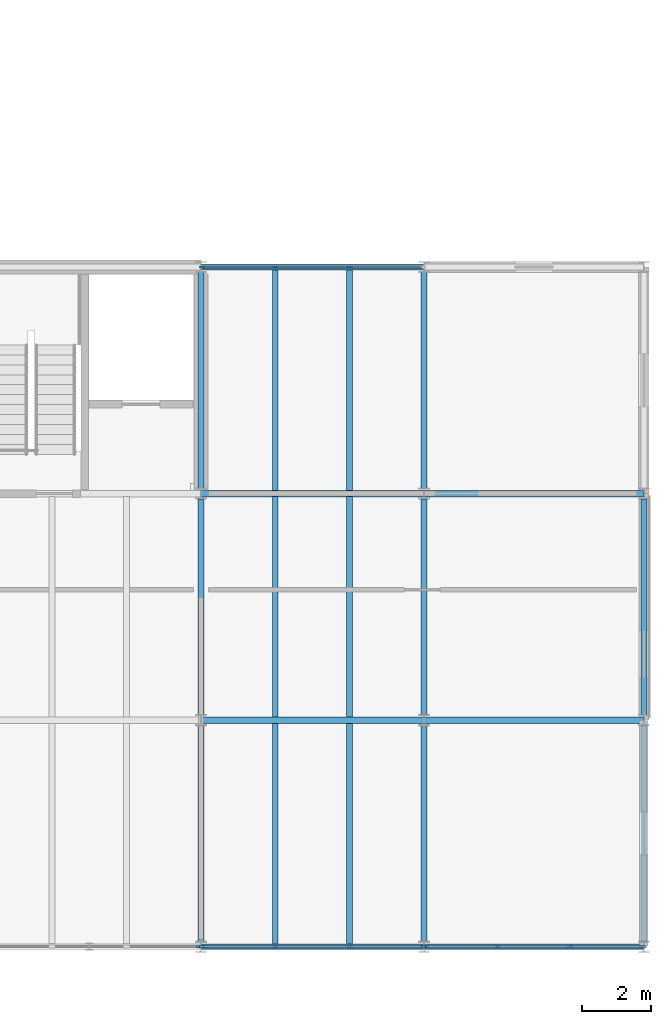
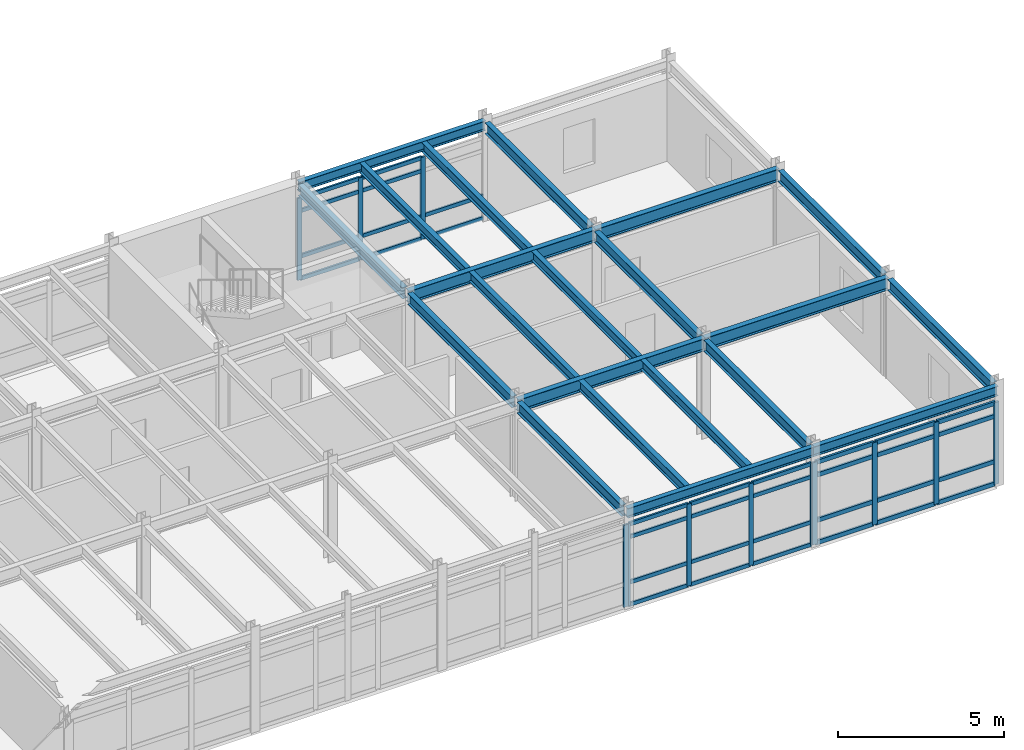
# One storey, part 29 of 57: 46 members, 21 beams, 4 elements without a shape of their own.
"""IFC4 building model written with IfcOpenShell, lengths in metres."""

from ifc_helpers import new_model, si_unit, direction, frame, origin, origin_2d, place, context, subcontext, project, spatial, rectangle, i_section, extrude, material, layer, layer_set, material_profile, profile_set, type_object, element, aggregate, save


model = new_model("IFC4")

# Units and contexts
model_context = context("Model", 3, precision=1e-05, world=origin(), true_north=direction((0.0, 1.0)))
body_context = subcontext(model_context, "Body", "Model", "MODEL_VIEW")
ifc_project = project(units=[si_unit("LENGTHUNIT", "METRE"), si_unit("AREAUNIT", "SQUARE_METRE"), si_unit("VOLUMEUNIT", "CUBIC_METRE"), si_unit("PLANEANGLEUNIT", "RADIAN"), si_unit("MASSUNIT", "GRAM", prefix="KILO")], contexts=[model_context])

# Site, building, storey
site_placement = place(None, origin())
site = spatial("IfcSite", under=ifc_project, at=site_placement, CompositionType="ELEMENT")
building_placement = place(site_placement, origin())
building = spatial("IfcBuilding", under=site, at=building_placement, Name="Trelmorton Wharf Fire Station", CompositionType="ELEMENT")
storey_placement = place(building_placement, frame((0.0, 0.0, 13.5)))
storey = spatial("IfcBuildingStorey", under=building, at=storey_placement, Name="L03", CompositionType="ELEMENT", Elevation=13.5)

# Beams
ifc_material_1 = material(Name="Steel Grade 350", Category="steel")
ifc_material_profile_1 = material_profile(ifc_material_1, i_section(OverallWidth=0.177978515625, OverallDepth=0.406005859375, WebThickness=0.0078125, FlangeThickness=0.0126953125, FilletRadius=0.011474609375, at=origin_2d()), Name="410UB59.7")
ifc_profile_set_1 = profile_set([ifc_material_profile_1], Name="Steel Grade 350")
beam_type_1 = type_object("IfcBeamType", Name="BM_410UB60", PredefinedType="BEAM", material=ifc_profile_set_1)
for number, where, z_axis, x_axis, name in (
    (1, (149.5, 7.95361328125, 3.427001953125), (0.0, 1.0, 0.0), (-1.0, 0.0, 0.0), "BM-L03-1019"),
    (2, (149.5, 14.553466796875, 3.427001953125), (0.0, 1.0, 0.0), (-1.0, 0.0, 0.0), "BM-L03-1020"),
    (3, (149.5, 21.153564453125, 3.427001953125), (0.0, 1.0, 0.0), (-1.0, 0.0, 0.0), "BM-L03-1021"),
    (4, (156.0, 7.95361328125, 3.427001953125), (0.0, 1.0, 0.0), (-1.0, 0.0, 0.0), "BM-L03-1025"),
    (5, (156.0, 14.553466796875, 3.427001953125), (0.0, 1.0, 0.0), (-1.0, 0.0, 0.0), "BM-L03-1026"),
    (6, (156.0, 21.153564453125, 3.427001953125), (0.0, 1.0, 0.0), (-1.0, 0.0, 0.0), "BM-L03-1027"),
    (7, (162.39990234375, 7.95361328125, 3.427001953125), (0.0, 1.0, 0.0), (-1.0, 0.0, 0.0), "BM-L03-1031"),
    (8, (162.39990234375, 14.553466796875, 3.427001953125), (0.0, 1.0, 0.0), (-1.0, 0.0, 0.0), "BM-L03-1032"),
):
    element("IfcBeam", number, at=place(storey_placement, frame(where, z_axis=z_axis, x_axis=x_axis)), inside=storey, type_object=beam_type_1, Name=name, PredefinedType="BEAM", context=body_context, shape_type="SweptSolid", body=[
        extrude(i_section(OverallWidth=0.177978515625, OverallDepth=0.406005859375, WebThickness=0.0078125, FlangeThickness=0.0126953125, FilletRadius=0.011474609375, at=origin_2d()), origin(), (0.0, 0.0, 1.0), 6.29296875),
    ])
ifc_material_profile_2 = material_profile(ifc_material_1, i_section(OverallWidth=0.18994140625, OverallDepth=0.45703125, WebThickness=0.009033203125, FlangeThickness=0.014404296875, FilletRadius=0.011474609375, at=origin_2d()), Name="460UB74.6")
ifc_profile_set_2 = profile_set([ifc_material_profile_2], Name="Steel Grade 350")
beam_type_2 = type_object("IfcBeamType", Name="BM_460UB75", PredefinedType="BEAM", material=ifc_profile_set_2)
beam_1_placement = place(storey_placement, frame((149.50390625, 14.39990234375, 3.401611328125), z_axis=(1.0, 0.0, 0.0), x_axis=(0.0, 1.0, 0.0)))
element("IfcBeam", 9, at=beam_1_placement, inside=storey, type_object=beam_type_2, Name="BM-L03-0891", PredefinedType="BEAM", context=body_context, shape_type="SweptSolid", body=[
    extrude(i_section(OverallWidth=0.18994140625, OverallDepth=0.45703125, WebThickness=0.009033203125, FlangeThickness=0.014404296875, FilletRadius=0.011474609375, at=origin_2d()), origin(), (0.0, 0.0, 1.0), 6.4921875),
])
beam_2_placement = place(storey_placement, frame((156.00390625, 14.39990234375, 3.401611328125), z_axis=(1.0, 0.0, 0.0), x_axis=(0.0, 1.0, 0.0)))
element("IfcBeam", 10, at=beam_2_placement, inside=storey, type_object=beam_type_2, Name="BM-L03-0892", PredefinedType="BEAM", context=body_context, shape_type="SweptSolid", body=[
    extrude(i_section(OverallWidth=0.18994140625, OverallDepth=0.45703125, WebThickness=0.009033203125, FlangeThickness=0.014404296875, FilletRadius=0.011474609375, at=origin_2d()), origin(), (0.0, 0.0, 1.0), 6.39208984375),
])
beam_3_placement = place(storey_placement, frame((149.50390625, 21.0, 3.401611328125), z_axis=(1.0, 0.0, 0.0), x_axis=(0.0, 1.0, 0.0)))
element("IfcBeam", 11, at=beam_3_placement, inside=storey, type_object=beam_type_2, Name="BM-L03-0903", PredefinedType="BEAM", context=body_context, shape_type="SweptSolid", body=[
    extrude(i_section(OverallWidth=0.18994140625, OverallDepth=0.45703125, WebThickness=0.009033203125, FlangeThickness=0.014404296875, FilletRadius=0.011474609375, at=origin_2d()), origin(), (0.0, 0.0, 1.0), 6.4921875),
])
beam_4_placement = place(storey_placement, frame((156.00390625, 21.0, 3.401611328125), z_axis=(1.0, 0.0, 0.0), x_axis=(0.0, 1.0, 0.0)))
element("IfcBeam", 12, at=beam_4_placement, inside=storey, type_object=beam_type_2, Name="BM-L03-0904", PredefinedType="BEAM", context=body_context, shape_type="SweptSolid", body=[
    extrude(i_section(OverallWidth=0.18994140625, OverallDepth=0.45703125, WebThickness=0.009033203125, FlangeThickness=0.014404296875, FilletRadius=0.011474609375, at=origin_2d()), origin(), (0.0, 0.0, 1.0), 6.39208984375),
])

# Curtain wall, members
ifc_material_2 = material(Name="Anodised aluminium AW-6063", Category="aluminium")
ifc_layer_1 = layer(ifc_material_2, 0.159912109375)
ifc_layer_set_1 = layer_set([ifc_layer_1], Name="Anodised aluminium AW-6063")
curtain_wall_type_1 = type_object("IfcCurtainWallType", Name="CW_CHIC_A", PredefinedType="USERDEFINED", material=ifc_layer_set_1)
curtain_wall_1_placement = place(storey_placement, origin())
curtain_wall_1 = element("IfcCurtainWall", 13, at=curtain_wall_1_placement, inside=storey, type_object=curtain_wall_type_1, Name="CW-V5-L03-067", ObjectType="CHICAGO BAY CURTAIN WALL", PredefinedType="USERDEFINED")
ifc_material_profile_3 = material_profile(ifc_material_2, rectangle(XDim=0.06494140625, YDim=0.159912109375, at=origin_2d()), Name="ALU-65x160")
ifc_profile_set_3 = profile_set([ifc_material_profile_3], Name="Anodised aluminium AW-6063")
member_type_1 = type_object("IfcMemberType", Name="CWM_65x160", PredefinedType="MULLION", material=ifc_profile_set_3)
member_1_placement = place(storey_placement, frame((155.965087890625, 7.800048828125, 0.0), z_axis=(0.0, 0.0, 1.0), x_axis=(0.0, -1.0, 0.0)))
member_1 = element("IfcMember", 14, at=member_1_placement, type_object=member_type_1, Name="CW1 mullion 1", PredefinedType="MULLION", context=body_context, shape_type="SweptSolid", body=[
    extrude(rectangle(XDim=0.06494140625, YDim=0.159912109375, at=origin_2d()), origin(), (0.0, 0.0, 1.0), 3.02001953125),
])
member_2_placement = place(storey_placement, frame((153.831787109375, 7.800048828125, 0.0), z_axis=(0.0, 0.0, 1.0), x_axis=(0.0, -1.0, 0.0)))
member_2 = element("IfcMember", 15, at=member_2_placement, type_object=member_type_1, Name="CW1 mullion 2", PredefinedType="MULLION", context=body_context, shape_type="SweptSolid", body=[
    extrude(rectangle(XDim=0.06494140625, YDim=0.159912109375, at=origin_2d()), origin(), (0.0, 0.0, 1.0), 3.02001953125),
])
member_3_placement = place(storey_placement, frame((151.668212890625, 7.800048828125, 0.0), z_axis=(0.0, 0.0, 1.0), x_axis=(0.0, -1.0, 0.0)))
member_3 = element("IfcMember", 16, at=member_3_placement, type_object=member_type_1, Name="CW1 mullion 3", PredefinedType="MULLION", context=body_context, shape_type="SweptSolid", body=[
    extrude(rectangle(XDim=0.06494140625, YDim=0.159912109375, at=origin_2d()), origin(), (0.0, 0.0, 1.0), 3.02001953125),
])
member_4_placement = place(storey_placement, frame((149.534912109375, 7.800048828125, 0.0), z_axis=(0.0, 0.0, 1.0), x_axis=(0.0, -1.0, 0.0)))
member_4 = element("IfcMember", 17, at=member_4_placement, type_object=member_type_1, Name="CW1 mullion 4", PredefinedType="MULLION", context=body_context, shape_type="SweptSolid", body=[
    extrude(rectangle(XDim=0.06494140625, YDim=0.159912109375, at=origin_2d()), origin(), (0.0, 0.0, 1.0), 3.02001953125),
])

ifc_layer_2 = layer(ifc_material_2, 0.14990234375)
ifc_layer_set_2 = layer_set([ifc_layer_2], Name="Anodised aluminium AW-6063")
curtain_wall_type_2 = type_object("IfcCurtainWallType", Name="CW_UNIT_A", PredefinedType="USERDEFINED", material=ifc_layer_set_2)
curtain_wall_2_placement = place(storey_placement, origin())
curtain_wall_2 = element("IfcCurtainWall", 18, at=curtain_wall_2_placement, inside=storey, type_object=curtain_wall_type_2, Name="CW-V5-L03-071", ObjectType="UNITISED CURTAIN WALL", PredefinedType="USERDEFINED")
member_5_placement = place(storey_placement, frame((149.534912109375, 27.60009765625, 0.0), z_axis=(0.0, 0.0, 1.0), x_axis=(0.0, 1.0, 0.0)))
member_5 = element("IfcMember", 19, at=member_5_placement, type_object=member_type_1, Name="CW3 mullion 1", PredefinedType="MULLION", context=body_context, shape_type="SweptSolid", body=[
    extrude(rectangle(XDim=0.06494140625, YDim=0.159912109375, at=origin_2d()), origin(), (0.0, 0.0, 1.0), 3.02001953125),
])
member_6_placement = place(storey_placement, frame((151.668212890625, 27.60009765625, 0.0), z_axis=(0.0, 0.0, 1.0), x_axis=(0.0, 1.0, 0.0)))
member_6 = element("IfcMember", 20, at=member_6_placement, type_object=member_type_1, Name="CW3 mullion 2", PredefinedType="MULLION", context=body_context, shape_type="SweptSolid", body=[
    extrude(rectangle(XDim=0.06494140625, YDim=0.159912109375, at=origin_2d()), origin(), (0.0, 0.0, 1.0), 3.02001953125),
])
member_7_placement = place(storey_placement, frame((153.831787109375, 27.60009765625, 0.0), z_axis=(0.0, 0.0, 1.0), x_axis=(0.0, 1.0, 0.0)))
member_7 = element("IfcMember", 21, at=member_7_placement, type_object=member_type_1, Name="CW3 mullion 3", PredefinedType="MULLION", context=body_context, shape_type="SweptSolid", body=[
    extrude(rectangle(XDim=0.06494140625, YDim=0.159912109375, at=origin_2d()), origin(), (0.0, 0.0, 1.0), 3.02001953125),
])

# Curtain wall, member
ifc_layer_3 = layer(ifc_material_2, 0.175048828125)
ifc_layer_set_3 = layer_set([ifc_layer_3], Name="Anodised aluminium AW-6063")
curtain_wall_type_3 = type_object("IfcCurtainWallType", Name="CW_CHIC_B", PredefinedType="USERDEFINED", material=ifc_layer_set_3)
curtain_wall_3_placement = place(storey_placement, origin())
curtain_wall_3 = element("IfcCurtainWall", 22, at=curtain_wall_3_placement, inside=storey, type_object=curtain_wall_type_3, Name="CW-V5-L03-066", ObjectType="CHICAGO BAY CURTAIN WALL", PredefinedType="USERDEFINED")
ifc_material_profile_4 = material_profile(ifc_material_2, rectangle(XDim=0.074951171875, YDim=0.175048828125, at=origin_2d()), Name="ALU-75x175")
ifc_profile_set_4 = profile_set([ifc_material_profile_4], Name="Anodised aluminium AW-6063")
member_type_2 = type_object("IfcMemberType", Name="CWM_75x175", PredefinedType="MULLION", material=ifc_profile_set_4)
member_8_placement = place(storey_placement, frame((149.465087890625, 7.800048828125, 0.0), z_axis=(0.0, 0.0, 1.0), x_axis=(0.0, -1.0, 0.0)))
member_8 = element("IfcMember", 23, at=member_8_placement, type_object=member_type_2, Name="CW2 mullion 1", PredefinedType="MULLION", context=body_context, shape_type="SweptSolid", body=[
    extrude(rectangle(XDim=0.074951171875, YDim=0.175048828125, at=origin_2d()), origin(), (0.0, 0.0, 1.0), 3.02001953125),
])
aggregate(curtain_wall_3, [member_8])

# Curtain wall, members
curtain_wall_4_placement = place(storey_placement, origin())
curtain_wall_4 = element("IfcCurtainWall", 24, at=curtain_wall_4_placement, inside=storey, type_object=curtain_wall_type_3, Name="CW-V5-L03-068", ObjectType="CHICAGO BAY CURTAIN WALL", PredefinedType="USERDEFINED")
member_9_placement = place(storey_placement, frame((162.364990234375, 7.800048828125, 0.0), z_axis=(0.0, 0.0, 1.0), x_axis=(0.0, -1.0, 0.0)))
member_9 = element("IfcMember", 25, at=member_9_placement, type_object=member_type_2, Name="CW2 mullion 1", PredefinedType="MULLION", context=body_context, shape_type="SweptSolid", body=[
    extrude(rectangle(XDim=0.074951171875, YDim=0.175048828125, at=origin_2d()), origin(), (0.0, 0.0, 1.0), 3.02001953125),
])
member_10_placement = place(storey_placement, frame((160.264892578125, 7.800048828125, 0.0), z_axis=(0.0, 0.0, 1.0), x_axis=(0.0, -1.0, 0.0)))
member_10 = element("IfcMember", 26, at=member_10_placement, type_object=member_type_2, Name="CW2 mullion 2", PredefinedType="MULLION", context=body_context, shape_type="SweptSolid", body=[
    extrude(rectangle(XDim=0.074951171875, YDim=0.175048828125, at=origin_2d()), origin(), (0.0, 0.0, 1.0), 3.02001953125),
])
member_11_placement = place(storey_placement, frame((158.135009765625, 7.800048828125, 0.0), z_axis=(0.0, 0.0, 1.0), x_axis=(0.0, -1.0, 0.0)))
member_11 = element("IfcMember", 27, at=member_11_placement, type_object=member_type_2, Name="CW2 mullion 3", PredefinedType="MULLION", context=body_context, shape_type="SweptSolid", body=[
    extrude(rectangle(XDim=0.074951171875, YDim=0.175048828125, at=origin_2d()), origin(), (0.0, 0.0, 1.0), 3.02001953125),
])
member_12_placement = place(storey_placement, frame((156.034912109375, 7.800048828125, 0.0), z_axis=(0.0, 0.0, 1.0), x_axis=(0.0, -1.0, 0.0)))
member_12 = element("IfcMember", 28, at=member_12_placement, type_object=member_type_2, Name="CW2 mullion 4", PredefinedType="MULLION", context=body_context, shape_type="SweptSolid", body=[
    extrude(rectangle(XDim=0.074951171875, YDim=0.175048828125, at=origin_2d()), origin(), (0.0, 0.0, 1.0), 3.02001953125),
])

# Member
ifc_material_profile_5 = material_profile(ifc_material_2, rectangle(XDim=0.06494140625, YDim=0.139892578125, at=origin_2d()), Name="ALU-65x140")
ifc_profile_set_5 = profile_set([ifc_material_profile_5], Name="Anodised aluminium AW-6063")
member_type_3 = type_object("IfcMemberType", Name="CWT_65x140", PredefinedType="USERDEFINED", material=ifc_profile_set_5)
member_13_placement = place(storey_placement, frame((155.93505859375, 7.800048828125, 0.030029296875), z_axis=(-1.0, 0.0, 0.0), x_axis=(0.0, -1.0, 0.0)))
member_13 = element("IfcMember", 29, at=member_13_placement, type_object=member_type_3, Name="CW1 transom 1.1", ObjectType="TRANSOM", PredefinedType="USERDEFINED", context=body_context, shape_type="SweptSolid", body=[
    extrude(rectangle(XDim=0.06494140625, YDim=0.139892578125, at=origin_2d()), origin(), (0.0, 0.0, 1.0), 2.073486328125),
])

member_14_placement = place(storey_placement, frame((155.93505859375, 7.800048828125, 0.85009765625), z_axis=(-1.0, 0.0, 0.0), x_axis=(0.0, -1.0, 0.0)))
member_14 = element("IfcMember", 30, at=member_14_placement, type_object=member_type_3, Name="CW1 transom 1.2", ObjectType="TRANSOM", PredefinedType="USERDEFINED", context=body_context, shape_type="SweptSolid", body=[
    extrude(rectangle(XDim=0.06494140625, YDim=0.139892578125, at=origin_2d()), origin(), (0.0, 0.0, 1.0), 2.073486328125),
])

member_15_placement = place(storey_placement, frame((155.93505859375, 7.800048828125, 2.52001953125), z_axis=(-1.0, 0.0, 0.0), x_axis=(0.0, -1.0, 0.0)))
member_15 = element("IfcMember", 31, at=member_15_placement, type_object=member_type_3, Name="CW1 transom 1.3", ObjectType="TRANSOM", PredefinedType="USERDEFINED", context=body_context, shape_type="SweptSolid", body=[
    extrude(rectangle(XDim=0.06494140625, YDim=0.139892578125, at=origin_2d()), origin(), (0.0, 0.0, 1.0), 2.073486328125),
])

member_16_placement = place(storey_placement, frame((155.93505859375, 7.800048828125, 2.989990234375), z_axis=(-1.0, 0.0, 0.0), x_axis=(0.0, -1.0, 0.0)))
member_16 = element("IfcMember", 32, at=member_16_placement, type_object=member_type_3, Name="CW1 transom 1.4", ObjectType="TRANSOM", PredefinedType="USERDEFINED", context=body_context, shape_type="SweptSolid", body=[
    extrude(rectangle(XDim=0.06494140625, YDim=0.139892578125, at=origin_2d()), origin(), (0.0, 0.0, 1.0), 2.073486328125),
])

member_17_placement = place(storey_placement, frame((153.8017578125, 7.800048828125, 0.030029296875), z_axis=(-1.0, 0.0, 0.0), x_axis=(0.0, -1.0, 0.0)))
member_17 = element("IfcMember", 33, at=member_17_placement, type_object=member_type_3, Name="CW1 transom 2.1", ObjectType="TRANSOM", PredefinedType="USERDEFINED", context=body_context, shape_type="SweptSolid", body=[
    extrude(rectangle(XDim=0.06494140625, YDim=0.139892578125, at=origin_2d()), origin(), (0.0, 0.0, 1.0), 2.103515625),
])

member_18_placement = place(storey_placement, frame((153.8017578125, 7.800048828125, 0.85009765625), z_axis=(-1.0, 0.0, 0.0), x_axis=(0.0, -1.0, 0.0)))
member_18 = element("IfcMember", 34, at=member_18_placement, type_object=member_type_3, Name="CW1 transom 2.2", ObjectType="TRANSOM", PredefinedType="USERDEFINED", context=body_context, shape_type="SweptSolid", body=[
    extrude(rectangle(XDim=0.06494140625, YDim=0.139892578125, at=origin_2d()), origin(), (0.0, 0.0, 1.0), 2.103515625),
])

member_19_placement = place(storey_placement, frame((153.8017578125, 7.800048828125, 2.52001953125), z_axis=(-1.0, 0.0, 0.0), x_axis=(0.0, -1.0, 0.0)))
member_19 = element("IfcMember", 35, at=member_19_placement, type_object=member_type_3, Name="CW1 transom 2.3", ObjectType="TRANSOM", PredefinedType="USERDEFINED", context=body_context, shape_type="SweptSolid", body=[
    extrude(rectangle(XDim=0.06494140625, YDim=0.139892578125, at=origin_2d()), origin(), (0.0, 0.0, 1.0), 2.103515625),
])

member_20_placement = place(storey_placement, frame((153.8017578125, 7.800048828125, 2.989990234375), z_axis=(-1.0, 0.0, 0.0), x_axis=(0.0, -1.0, 0.0)))
member_20 = element("IfcMember", 36, at=member_20_placement, type_object=member_type_3, Name="CW1 transom 2.4", ObjectType="TRANSOM", PredefinedType="USERDEFINED", context=body_context, shape_type="SweptSolid", body=[
    extrude(rectangle(XDim=0.06494140625, YDim=0.139892578125, at=origin_2d()), origin(), (0.0, 0.0, 1.0), 2.103515625),
])

member_21_placement = place(storey_placement, frame((151.638427734375, 7.800048828125, 0.030029296875), z_axis=(-1.0, 0.0, 0.0), x_axis=(0.0, -1.0, 0.0)))
member_21 = element("IfcMember", 37, at=member_21_placement, type_object=member_type_3, Name="CW1 transom 3.1", ObjectType="TRANSOM", PredefinedType="USERDEFINED", context=body_context, shape_type="SweptSolid", body=[
    extrude(rectangle(XDim=0.06494140625, YDim=0.139892578125, at=origin_2d()), origin(), (0.0, 0.0, 1.0), 2.073486328125),
])

member_22_placement = place(storey_placement, frame((151.638427734375, 7.800048828125, 0.85009765625), z_axis=(-1.0, 0.0, 0.0), x_axis=(0.0, -1.0, 0.0)))
member_22 = element("IfcMember", 38, at=member_22_placement, type_object=member_type_3, Name="CW1 transom 3.2", ObjectType="TRANSOM", PredefinedType="USERDEFINED", context=body_context, shape_type="SweptSolid", body=[
    extrude(rectangle(XDim=0.06494140625, YDim=0.139892578125, at=origin_2d()), origin(), (0.0, 0.0, 1.0), 2.073486328125),
])

member_23_placement = place(storey_placement, frame((151.638427734375, 7.800048828125, 2.52001953125), z_axis=(-1.0, 0.0, 0.0), x_axis=(0.0, -1.0, 0.0)))
member_23 = element("IfcMember", 39, at=member_23_placement, type_object=member_type_3, Name="CW1 transom 3.3", ObjectType="TRANSOM", PredefinedType="USERDEFINED", context=body_context, shape_type="SweptSolid", body=[
    extrude(rectangle(XDim=0.06494140625, YDim=0.139892578125, at=origin_2d()), origin(), (0.0, 0.0, 1.0), 2.073486328125),
])

member_24_placement = place(storey_placement, frame((151.638427734375, 7.800048828125, 2.989990234375), z_axis=(-1.0, 0.0, 0.0), x_axis=(0.0, -1.0, 0.0)))
member_24 = element("IfcMember", 40, at=member_24_placement, type_object=member_type_3, Name="CW1 transom 3.4", ObjectType="TRANSOM", PredefinedType="USERDEFINED", context=body_context, shape_type="SweptSolid", body=[
    extrude(rectangle(XDim=0.06494140625, YDim=0.139892578125, at=origin_2d()), origin(), (0.0, 0.0, 1.0), 2.073486328125),
])

aggregate(curtain_wall_1, [member_1, member_2, member_3, member_4, member_13, member_14, member_15, member_16, member_17, member_18, member_19, member_20, member_21, member_22, member_23, member_24])

member_25_placement = place(storey_placement, frame((149.56494140625, 27.60009765625, 0.030029296875), z_axis=(1.0, 0.0, 0.0), x_axis=(0.0, 1.0, 0.0)))
member_25 = element("IfcMember", 41, at=member_25_placement, type_object=member_type_3, Name="CW3 transom 1.1", ObjectType="TRANSOM", PredefinedType="USERDEFINED", context=body_context, shape_type="SweptSolid", body=[
    extrude(rectangle(XDim=0.06494140625, YDim=0.139892578125, at=origin_2d()), origin(), (0.0, 0.0, 1.0), 2.073486328125),
])

member_26_placement = place(storey_placement, frame((149.56494140625, 27.60009765625, 0.85009765625), z_axis=(1.0, 0.0, 0.0), x_axis=(0.0, 1.0, 0.0)))
member_26 = element("IfcMember", 42, at=member_26_placement, type_object=member_type_3, Name="CW3 transom 1.2", ObjectType="TRANSOM", PredefinedType="USERDEFINED", context=body_context, shape_type="SweptSolid", body=[
    extrude(rectangle(XDim=0.06494140625, YDim=0.139892578125, at=origin_2d()), origin(), (0.0, 0.0, 1.0), 2.073486328125),
])

member_27_placement = place(storey_placement, frame((149.56494140625, 27.60009765625, 2.52001953125), z_axis=(1.0, 0.0, 0.0), x_axis=(0.0, 1.0, 0.0)))
member_27 = element("IfcMember", 43, at=member_27_placement, type_object=member_type_3, Name="CW3 transom 1.3", ObjectType="TRANSOM", PredefinedType="USERDEFINED", context=body_context, shape_type="SweptSolid", body=[
    extrude(rectangle(XDim=0.06494140625, YDim=0.139892578125, at=origin_2d()), origin(), (0.0, 0.0, 1.0), 2.073486328125),
])

member_28_placement = place(storey_placement, frame((149.56494140625, 27.60009765625, 2.989990234375), z_axis=(1.0, 0.0, 0.0), x_axis=(0.0, 1.0, 0.0)))
member_28 = element("IfcMember", 44, at=member_28_placement, type_object=member_type_3, Name="CW3 transom 1.4", ObjectType="TRANSOM", PredefinedType="USERDEFINED", context=body_context, shape_type="SweptSolid", body=[
    extrude(rectangle(XDim=0.06494140625, YDim=0.139892578125, at=origin_2d()), origin(), (0.0, 0.0, 1.0), 2.073486328125),
])

member_29_placement = place(storey_placement, frame((151.6982421875, 27.60009765625, 0.030029296875), z_axis=(1.0, 0.0, 0.0), x_axis=(0.0, 1.0, 0.0)))
member_29 = element("IfcMember", 45, at=member_29_placement, type_object=member_type_3, Name="CW3 transom 2.1", ObjectType="TRANSOM", PredefinedType="USERDEFINED", context=body_context, shape_type="SweptSolid", body=[
    extrude(rectangle(XDim=0.06494140625, YDim=0.139892578125, at=origin_2d()), origin(), (0.0, 0.0, 1.0), 2.103515625),
])

member_30_placement = place(storey_placement, frame((151.6982421875, 27.60009765625, 0.85009765625), z_axis=(1.0, 0.0, 0.0), x_axis=(0.0, 1.0, 0.0)))
member_30 = element("IfcMember", 46, at=member_30_placement, type_object=member_type_3, Name="CW3 transom 2.2", ObjectType="TRANSOM", PredefinedType="USERDEFINED", context=body_context, shape_type="SweptSolid", body=[
    extrude(rectangle(XDim=0.06494140625, YDim=0.139892578125, at=origin_2d()), origin(), (0.0, 0.0, 1.0), 2.103515625),
])

member_31_placement = place(storey_placement, frame((151.6982421875, 27.60009765625, 2.52001953125), z_axis=(1.0, 0.0, 0.0), x_axis=(0.0, 1.0, 0.0)))
member_31 = element("IfcMember", 47, at=member_31_placement, type_object=member_type_3, Name="CW3 transom 2.3", ObjectType="TRANSOM", PredefinedType="USERDEFINED", context=body_context, shape_type="SweptSolid", body=[
    extrude(rectangle(XDim=0.06494140625, YDim=0.139892578125, at=origin_2d()), origin(), (0.0, 0.0, 1.0), 2.103515625),
])

member_32_placement = place(storey_placement, frame((151.6982421875, 27.60009765625, 2.989990234375), z_axis=(1.0, 0.0, 0.0), x_axis=(0.0, 1.0, 0.0)))
member_32 = element("IfcMember", 48, at=member_32_placement, type_object=member_type_3, Name="CW3 transom 2.4", ObjectType="TRANSOM", PredefinedType="USERDEFINED", context=body_context, shape_type="SweptSolid", body=[
    extrude(rectangle(XDim=0.06494140625, YDim=0.139892578125, at=origin_2d()), origin(), (0.0, 0.0, 1.0), 2.103515625),
])

member_33_placement = place(storey_placement, frame((153.861572265625, 27.60009765625, 0.030029296875), z_axis=(1.0, 0.0, 0.0), x_axis=(0.0, 1.0, 0.0)))
member_33 = element("IfcMember", 49, at=member_33_placement, type_object=member_type_3, Name="CW3 transom 3.1", ObjectType="TRANSOM", PredefinedType="USERDEFINED", context=body_context, shape_type="SweptSolid", body=[
    extrude(rectangle(XDim=0.06494140625, YDim=0.139892578125, at=origin_2d()), origin(), (0.0, 0.0, 1.0), 2.073486328125),
])

member_34_placement = place(storey_placement, frame((153.861572265625, 27.60009765625, 0.85009765625), z_axis=(1.0, 0.0, 0.0), x_axis=(0.0, 1.0, 0.0)))
member_34 = element("IfcMember", 50, at=member_34_placement, type_object=member_type_3, Name="CW3 transom 3.2", ObjectType="TRANSOM", PredefinedType="USERDEFINED", context=body_context, shape_type="SweptSolid", body=[
    extrude(rectangle(XDim=0.06494140625, YDim=0.139892578125, at=origin_2d()), origin(), (0.0, 0.0, 1.0), 2.073486328125),
])

aggregate(curtain_wall_2, [member_5, member_6, member_7, member_25, member_26, member_27, member_28, member_29, member_30, member_31, member_32, member_33, member_34])

ifc_material_profile_6 = material_profile(ifc_material_2, rectangle(XDim=0.074951171875, YDim=0.155029296875, at=origin_2d()), Name="ALU-75x155")
ifc_profile_set_6 = profile_set([ifc_material_profile_6], Name="Anodised aluminium AW-6063")
member_type_4 = type_object("IfcMemberType", Name="CWT_75x155", PredefinedType="USERDEFINED", material=ifc_profile_set_6)
member_35_placement = place(storey_placement, frame((162.3349609375, 7.800048828125, 0.030029296875), z_axis=(-1.0, 0.0, 0.0), x_axis=(0.0, -1.0, 0.0)))
member_35 = element("IfcMember", 51, at=member_35_placement, type_object=member_type_4, Name="CW2 transom 1.1", ObjectType="TRANSOM", PredefinedType="USERDEFINED", context=body_context, shape_type="SweptSolid", body=[
    extrude(rectangle(XDim=0.074951171875, YDim=0.155029296875, at=origin_2d()), origin(), (0.0, 0.0, 1.0), 2.0400390625),
])

member_36_placement = place(storey_placement, frame((162.3349609375, 7.800048828125, 0.85009765625), z_axis=(-1.0, 0.0, 0.0), x_axis=(0.0, -1.0, 0.0)))
member_36 = element("IfcMember", 52, at=member_36_placement, type_object=member_type_4, Name="CW2 transom 1.2", ObjectType="TRANSOM", PredefinedType="USERDEFINED", context=body_context, shape_type="SweptSolid", body=[
    extrude(rectangle(XDim=0.074951171875, YDim=0.155029296875, at=origin_2d()), origin(), (0.0, 0.0, 1.0), 2.0400390625),
])

member_37_placement = place(storey_placement, frame((162.3349609375, 7.800048828125, 2.52001953125), z_axis=(-1.0, 0.0, 0.0), x_axis=(0.0, -1.0, 0.0)))
member_37 = element("IfcMember", 53, at=member_37_placement, type_object=member_type_4, Name="CW2 transom 1.3", ObjectType="TRANSOM", PredefinedType="USERDEFINED", context=body_context, shape_type="SweptSolid", body=[
    extrude(rectangle(XDim=0.074951171875, YDim=0.155029296875, at=origin_2d()), origin(), (0.0, 0.0, 1.0), 2.0400390625),
])

member_38_placement = place(storey_placement, frame((162.3349609375, 7.800048828125, 2.989990234375), z_axis=(-1.0, 0.0, 0.0), x_axis=(0.0, -1.0, 0.0)))
member_38 = element("IfcMember", 54, at=member_38_placement, type_object=member_type_4, Name="CW2 transom 1.4", ObjectType="TRANSOM", PredefinedType="USERDEFINED", context=body_context, shape_type="SweptSolid", body=[
    extrude(rectangle(XDim=0.074951171875, YDim=0.155029296875, at=origin_2d()), origin(), (0.0, 0.0, 1.0), 2.0400390625),
])

member_39_placement = place(storey_placement, frame((160.235107421875, 7.800048828125, 0.030029296875), z_axis=(-1.0, 0.0, 0.0), x_axis=(0.0, -1.0, 0.0)))
member_39 = element("IfcMember", 55, at=member_39_placement, type_object=member_type_4, Name="CW2 transom 2.1", ObjectType="TRANSOM", PredefinedType="USERDEFINED", context=body_context, shape_type="SweptSolid", body=[
    extrude(rectangle(XDim=0.074951171875, YDim=0.155029296875, at=origin_2d()), origin(), (0.0, 0.0, 1.0), 2.070068359375),
])

member_40_placement = place(storey_placement, frame((160.235107421875, 7.800048828125, 0.85009765625), z_axis=(-1.0, 0.0, 0.0), x_axis=(0.0, -1.0, 0.0)))
member_40 = element("IfcMember", 56, at=member_40_placement, type_object=member_type_4, Name="CW2 transom 2.2", ObjectType="TRANSOM", PredefinedType="USERDEFINED", context=body_context, shape_type="SweptSolid", body=[
    extrude(rectangle(XDim=0.074951171875, YDim=0.155029296875, at=origin_2d()), origin(), (0.0, 0.0, 1.0), 2.070068359375),
])

member_41_placement = place(storey_placement, frame((160.235107421875, 7.800048828125, 2.52001953125), z_axis=(-1.0, 0.0, 0.0), x_axis=(0.0, -1.0, 0.0)))
member_41 = element("IfcMember", 57, at=member_41_placement, type_object=member_type_4, Name="CW2 transom 2.3", ObjectType="TRANSOM", PredefinedType="USERDEFINED", context=body_context, shape_type="SweptSolid", body=[
    extrude(rectangle(XDim=0.074951171875, YDim=0.155029296875, at=origin_2d()), origin(), (0.0, 0.0, 1.0), 2.070068359375),
])

member_42_placement = place(storey_placement, frame((160.235107421875, 7.800048828125, 2.989990234375), z_axis=(-1.0, 0.0, 0.0), x_axis=(0.0, -1.0, 0.0)))
member_42 = element("IfcMember", 58, at=member_42_placement, type_object=member_type_4, Name="CW2 transom 2.4", ObjectType="TRANSOM", PredefinedType="USERDEFINED", context=body_context, shape_type="SweptSolid", body=[
    extrude(rectangle(XDim=0.074951171875, YDim=0.155029296875, at=origin_2d()), origin(), (0.0, 0.0, 1.0), 2.070068359375),
])

member_43_placement = place(storey_placement, frame((158.10498046875, 7.800048828125, 0.030029296875), z_axis=(-1.0, 0.0, 0.0), x_axis=(0.0, -1.0, 0.0)))
member_43 = element("IfcMember", 59, at=member_43_placement, type_object=member_type_4, Name="CW2 transom 3.1", ObjectType="TRANSOM", PredefinedType="USERDEFINED", context=body_context, shape_type="SweptSolid", body=[
    extrude(rectangle(XDim=0.074951171875, YDim=0.155029296875, at=origin_2d()), origin(), (0.0, 0.0, 1.0), 2.0400390625),
])

member_44_placement = place(storey_placement, frame((158.10498046875, 7.800048828125, 0.85009765625), z_axis=(-1.0, 0.0, 0.0), x_axis=(0.0, -1.0, 0.0)))
member_44 = element("IfcMember", 60, at=member_44_placement, type_object=member_type_4, Name="CW2 transom 3.2", ObjectType="TRANSOM", PredefinedType="USERDEFINED", context=body_context, shape_type="SweptSolid", body=[
    extrude(rectangle(XDim=0.074951171875, YDim=0.155029296875, at=origin_2d()), origin(), (0.0, 0.0, 1.0), 2.0400390625),
])

member_45_placement = place(storey_placement, frame((158.10498046875, 7.800048828125, 2.52001953125), z_axis=(-1.0, 0.0, 0.0), x_axis=(0.0, -1.0, 0.0)))
member_45 = element("IfcMember", 61, at=member_45_placement, type_object=member_type_4, Name="CW2 transom 3.3", ObjectType="TRANSOM", PredefinedType="USERDEFINED", context=body_context, shape_type="SweptSolid", body=[
    extrude(rectangle(XDim=0.074951171875, YDim=0.155029296875, at=origin_2d()), origin(), (0.0, 0.0, 1.0), 2.0400390625),
])

member_46_placement = place(storey_placement, frame((158.10498046875, 7.800048828125, 2.989990234375), z_axis=(-1.0, 0.0, 0.0), x_axis=(0.0, -1.0, 0.0)))
member_46 = element("IfcMember", 62, at=member_46_placement, type_object=member_type_4, Name="CW2 transom 3.4", ObjectType="TRANSOM", PredefinedType="USERDEFINED", context=body_context, shape_type="SweptSolid", body=[
    extrude(rectangle(XDim=0.074951171875, YDim=0.155029296875, at=origin_2d()), origin(), (0.0, 0.0, 1.0), 2.0400390625),
])

aggregate(curtain_wall_4, [member_9, member_10, member_11, member_12, member_35, member_36, member_37, member_38, member_39, member_40, member_41, member_42, member_43, member_44, member_45, member_46])

# Beams
ifc_material_profile_7 = material_profile(ifc_material_1, i_section(OverallWidth=0.172119140625, OverallDepth=0.35888671875, WebThickness=0.008056640625, FlangeThickness=0.012939453125, FilletRadius=0.011474609375, at=origin_2d()), Name="360UB56.7")
ifc_profile_set_7 = profile_set([ifc_material_profile_7], Name="Steel Grade 350")
beam_type_3 = type_object("IfcBeamType", Name="JS_360UB57", PredefinedType="JOIST", material=ifc_profile_set_7)
for number, where, z_axis, x_axis, name in (
    (63, (151.666748046875, 7.889892578125, 3.450439453125), (0.0, 1.0, 0.0), (-1.0, 0.0, 0.0), "JS-L03-0375"),
    (64, (153.833251953125, 7.889892578125, 3.450439453125), (0.0, 1.0, 0.0), (-1.0, 0.0, 0.0), "JS-L03-0376"),
):
    element("IfcBeam", number, at=place(storey_placement, frame(where, z_axis=z_axis, x_axis=x_axis)), inside=storey, type_object=beam_type_3, Name=name, PredefinedType="JOIST", context=body_context, shape_type="SweptSolid", body=[
        extrude(i_section(OverallWidth=0.172119140625, OverallDepth=0.35888671875, WebThickness=0.008056640625, FlangeThickness=0.012939453125, FilletRadius=0.011474609375, at=origin_2d()), origin(), (0.0, 0.0, 1.0), 6.420166015625),
    ])
for number, where, z_axis, x_axis, name in (
    (65, (151.666748046875, 14.489990234375, 3.450439453125), (0.0, 1.0, 0.0), (-1.0, 0.0, 0.0), "JS-L03-0377"),
    (66, (153.833251953125, 14.489990234375, 3.450439453125), (0.0, 1.0, 0.0), (-1.0, 0.0, 0.0), "JS-L03-0378"),
    (67, (151.666748046875, 21.090087890625, 3.450439453125), (0.0, 1.0, 0.0), (-1.0, 0.0, 0.0), "JS-L03-0379"),
    (68, (153.833251953125, 21.090087890625, 3.450439453125), (0.0, 1.0, 0.0), (-1.0, 0.0, 0.0), "JS-L03-0380"),
):
    element("IfcBeam", number, at=place(storey_placement, frame(where, z_axis=z_axis, x_axis=x_axis)), inside=storey, type_object=beam_type_3, Name=name, PredefinedType="JOIST", context=body_context, shape_type="SweptSolid", body=[
        extrude(i_section(OverallWidth=0.172119140625, OverallDepth=0.35888671875, WebThickness=0.008056640625, FlangeThickness=0.012939453125, FilletRadius=0.011474609375, at=origin_2d()), origin(), (0.0, 0.0, 1.0), 6.419921875),
    ])
ifc_material_profile_8 = material_profile(ifc_material_1, i_section(OverallWidth=0.1708984375, OverallDepth=0.35595703125, WebThickness=0.00732421875, FlangeThickness=0.011474609375, FilletRadius=0.011474609375, at=origin_2d()), Name="360UB50.7")
ifc_profile_set_8 = profile_set([ifc_material_profile_8], Name="Steel Grade 350")
beam_type_4 = type_object("IfcBeamType", Name="SP_360UB51", PredefinedType="SPANDREL", material=ifc_profile_set_8)
beam_5_placement = place(storey_placement, frame((149.50390625, 7.800048828125, 3.451904296875), z_axis=(1.0, 0.0, 0.0), x_axis=(0.0, 1.0, 0.0)))
element("IfcBeam", 69, at=beam_5_placement, inside=storey, type_object=beam_type_4, Name="BM-L03-0883", PredefinedType="SPANDREL", context=body_context, shape_type="SweptSolid", body=[
    extrude(i_section(OverallWidth=0.1708984375, OverallDepth=0.35595703125, WebThickness=0.00732421875, FlangeThickness=0.011474609375, FilletRadius=0.011474609375, at=origin_2d()), origin(), (0.0, 0.0, 1.0), 6.4921875),
])
beam_6_placement = place(storey_placement, frame((156.00390625, 7.800048828125, 3.451904296875), z_axis=(1.0, 0.0, 0.0), x_axis=(0.0, 1.0, 0.0)))
element("IfcBeam", 70, at=beam_6_placement, inside=storey, type_object=beam_type_4, Name="BM-L03-0884", PredefinedType="SPANDREL", context=body_context, shape_type="SweptSolid", body=[
    extrude(i_section(OverallWidth=0.1708984375, OverallDepth=0.35595703125, WebThickness=0.00732421875, FlangeThickness=0.011474609375, FilletRadius=0.011474609375, at=origin_2d()), origin(), (0.0, 0.0, 1.0), 6.39208984375),
])
beam_7_placement = place(storey_placement, frame((149.50390625, 27.60009765625, 3.451904296875), z_axis=(1.0, 0.0, 0.0), x_axis=(0.0, 1.0, 0.0)))
element("IfcBeam", 71, at=beam_7_placement, inside=storey, type_object=beam_type_4, Name="BM-L03-0915", PredefinedType="SPANDREL", context=body_context, shape_type="SweptSolid", body=[
    extrude(i_section(OverallWidth=0.1708984375, OverallDepth=0.35595703125, WebThickness=0.00732421875, FlangeThickness=0.011474609375, FilletRadius=0.011474609375, at=origin_2d()), origin(), (0.0, 0.0, 1.0), 6.4921875),
])

save(model, "model.ifc")
